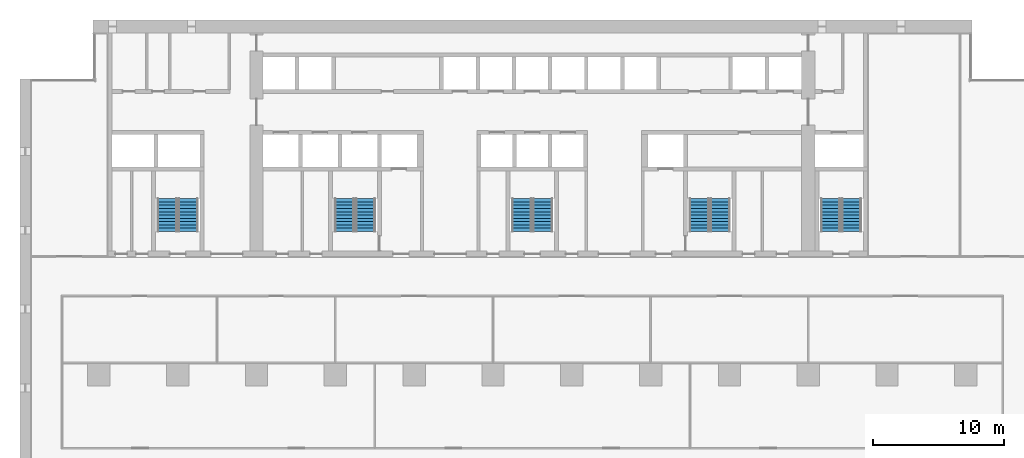
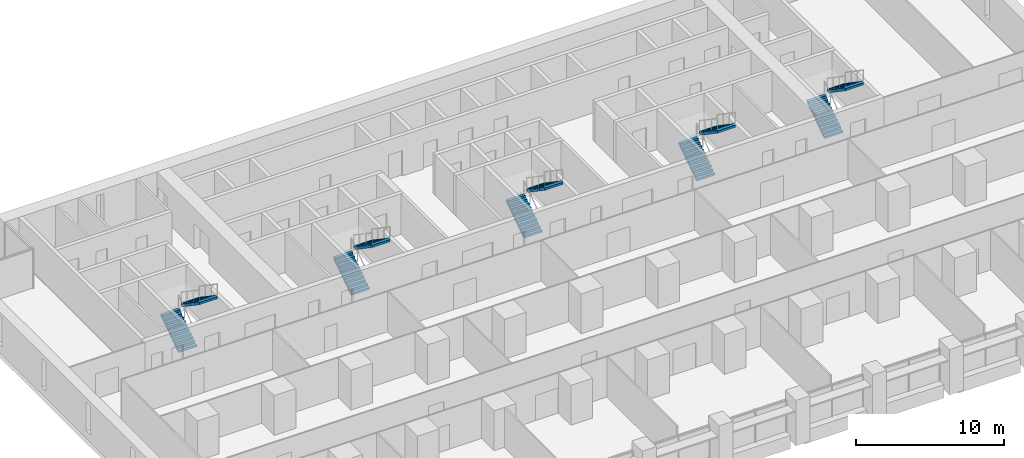
# One storey, part 14 of 18: 10 stair flights, 5 elements without a shape of their own.
"""IFC4 building model written with IfcOpenShell, lengths in metres."""

from ifc_helpers import new_model, si_unit, direction, frame, origin, place, context, subcontext, project, spatial, polyline, outline, extrude, material, type_object, element, aggregate, save


model = new_model("IFC4")

# Units and contexts
model_context = context("Model", 3, precision=1e-05, world=origin(), true_north=direction((0.0, 1.0)))
body_context = subcontext(model_context, "Body", "Model", "MODEL_VIEW")
ifc_project = project(units=[si_unit("LENGTHUNIT", "METRE"), si_unit("AREAUNIT", "SQUARE_METRE"), si_unit("VOLUMEUNIT", "CUBIC_METRE"), si_unit("PLANEANGLEUNIT", "RADIAN"), si_unit("MASSUNIT", "GRAM", prefix="KILO")], contexts=[model_context])

# Site, building, storey
site_placement = place(None, origin())
site = spatial("IfcSite", under=ifc_project, at=site_placement, CompositionType="ELEMENT")
building_placement = place(site_placement, origin())
building = spatial("IfcBuilding", under=site, at=building_placement, Name="Calvaro Tower", CompositionType="ELEMENT")
storey_placement = place(building_placement, frame((0.0, 0.0, 45.0)))
storey = spatial("IfcBuildingStorey", under=building, at=storey_placement, Name="L10", CompositionType="ELEMENT", Elevation=45.0)

# Stair, stair flights
ifc_material_1 = material(Name="Concrete C40/50", Category="concrete")
stair_type = type_object("IfcStairType", Name="Exit stair 1400 2 flights", PredefinedType="HALF_TURN_STAIR", material=ifc_material_1)
stair_1_placement = place(storey_placement, origin())
stair_1 = element("IfcStair", 1, at=stair_1_placement, inside=storey, type_object=stair_type, Name="Exit stair S1", PredefinedType="HALF_TURN_STAIR")
ifc_material_2 = material(Name="Concrete C40/50", Category="concrete")
stair_flight_type = type_object("IfcStairFlightType", Name="Stair flight", PredefinedType="STRAIGHT", material=ifc_material_2)
stair_flight_1_placement = place(storey_placement, frame((11.199951171875, 29.89990234375, 0.0), z_axis=(0.0, 0.0, 1.0), x_axis=(0.0, 1.0, 0.0)))
stair_flight_1 = element("IfcStairFlight", 2, at=stair_flight_1_placement, type_object=stair_flight_type, Name="Exit stair 1, flight 1", NumberOfRisers=11, NumberOfTreads=10, PredefinedType="STRAIGHT", RiserHeight=0.170454545, TreadLength=0.25, context=body_context, shape_type="SweptSolid", body=[
    extrude(outline(polyline([(0.0, 0.0), (0.0, 0.17041015625), (0.25, 0.17041015625), (0.25, 0.3408203125), (0.5, 0.3408203125), (0.5, 0.511474609375), (0.75, 0.511474609375), (0.75, 0.681884765625), (1.0, 0.681884765625), (1.0, 0.852294921875), (1.25, 0.852294921875), (1.25, 1.022705078125), (1.5, 1.022705078125), (1.5, 1.193115234375), (1.75, 1.193115234375), (1.75, 1.363525390625), (2.0, 1.363525390625), (2.0, 1.5341796875), (2.25, 1.5341796875), (2.25, 1.70458984375), (2.5, 1.70458984375), (2.5, 1.875), (2.5, 1.523193359375), (0.26611328125, 0.0), (0.0, 0.0)])), frame((0.0, 0.699951171875, 0.0), z_axis=(0.0, -1.0, 0.0), x_axis=(1.0, 0.0, 0.0)), (0.0, 0.0, 1.0), 1.39990234375),
])
stair_flight_2_placement = place(storey_placement, frame((12.800048828125, 32.39990234375, 1.875), z_axis=(0.0, 0.0, 1.0), x_axis=(0.0, -1.0, 0.0)))
stair_flight_2 = element("IfcStairFlight", 3, at=stair_flight_2_placement, type_object=stair_flight_type, Name="Exit stair 1, flight 2", NumberOfRisers=11, NumberOfTreads=10, PredefinedType="STRAIGHT", RiserHeight=0.170454545, TreadLength=0.25, context=body_context, shape_type="SweptSolid", body=[
    extrude(outline(polyline([(0.0, 0.0), (0.0, 0.17041015625), (0.25, 0.17041015625), (0.25, 0.3408203125), (0.5, 0.3408203125), (0.5, 0.511474609375), (0.75, 0.511474609375), (0.75, 0.681884765625), (1.0, 0.681884765625), (1.0, 0.852294921875), (1.25, 0.852294921875), (1.25, 1.022705078125), (1.5, 1.022705078125), (1.5, 1.193115234375), (1.75, 1.193115234375), (1.75, 1.363525390625), (2.0, 1.363525390625), (2.0, 1.5341796875), (2.25, 1.5341796875), (2.25, 1.70458984375), (2.5, 1.70458984375), (2.5, 1.875), (2.5, 1.523193359375), (0.26611328125, 0.0), (0.0, 0.0)])), frame((0.0, 0.699951171875, 0.0), z_axis=(0.0, -1.0, 0.0), x_axis=(1.0, 0.0, 0.0)), (0.0, 0.0, 1.0), 1.39990234375),
])
aggregate(stair_1, [stair_flight_1, stair_flight_2])

stair_2_placement = place(storey_placement, origin())
stair_2 = element("IfcStair", 4, at=stair_2_placement, inside=storey, type_object=stair_type, Name="Exit stair S2", PredefinedType="HALF_TURN_STAIR")
stair_flight_3_placement = place(storey_placement, frame((24.699951171875, 29.89990234375, 0.0), z_axis=(0.0, 0.0, 1.0), x_axis=(0.0, 1.0, 0.0)))
stair_flight_3 = element("IfcStairFlight", 5, at=stair_flight_3_placement, type_object=stair_flight_type, Name="Exit stair 2, flight 1", NumberOfRisers=11, NumberOfTreads=10, PredefinedType="STRAIGHT", RiserHeight=0.170454545, TreadLength=0.25, context=body_context, shape_type="SweptSolid", body=[
    extrude(outline(polyline([(0.0, 0.0), (0.0, 0.17041015625), (0.25, 0.17041015625), (0.25, 0.3408203125), (0.5, 0.3408203125), (0.5, 0.511474609375), (0.75, 0.511474609375), (0.75, 0.681884765625), (1.0, 0.681884765625), (1.0, 0.852294921875), (1.25, 0.852294921875), (1.25, 1.022705078125), (1.5, 1.022705078125), (1.5, 1.193115234375), (1.75, 1.193115234375), (1.75, 1.363525390625), (2.0, 1.363525390625), (2.0, 1.5341796875), (2.25, 1.5341796875), (2.25, 1.70458984375), (2.5, 1.70458984375), (2.5, 1.875), (2.5, 1.523193359375), (0.26611328125, 0.0), (0.0, 0.0)])), frame((0.0, 0.699951171875, 0.0), z_axis=(0.0, -1.0, 0.0), x_axis=(1.0, 0.0, 0.0)), (0.0, 0.0, 1.0), 1.39990234375),
])
stair_flight_4_placement = place(storey_placement, frame((26.300048828125, 32.39990234375, 1.875), z_axis=(0.0, 0.0, 1.0), x_axis=(0.0, -1.0, 0.0)))
stair_flight_4 = element("IfcStairFlight", 6, at=stair_flight_4_placement, type_object=stair_flight_type, Name="Exit stair 2, flight 2", NumberOfRisers=11, NumberOfTreads=10, PredefinedType="STRAIGHT", RiserHeight=0.170454545, TreadLength=0.25, context=body_context, shape_type="SweptSolid", body=[
    extrude(outline(polyline([(0.0, 0.0), (0.0, 0.17041015625), (0.25, 0.17041015625), (0.25, 0.3408203125), (0.5, 0.3408203125), (0.5, 0.511474609375), (0.75, 0.511474609375), (0.75, 0.681884765625), (1.0, 0.681884765625), (1.0, 0.852294921875), (1.25, 0.852294921875), (1.25, 1.022705078125), (1.5, 1.022705078125), (1.5, 1.193115234375), (1.75, 1.193115234375), (1.75, 1.363525390625), (2.0, 1.363525390625), (2.0, 1.5341796875), (2.25, 1.5341796875), (2.25, 1.70458984375), (2.5, 1.70458984375), (2.5, 1.875), (2.5, 1.523193359375), (0.26611328125, 0.0), (0.0, 0.0)])), frame((0.0, 0.699951171875, 0.0), z_axis=(0.0, -1.0, 0.0), x_axis=(1.0, 0.0, 0.0)), (0.0, 0.0, 1.0), 1.39990234375),
])
aggregate(stair_2, [stair_flight_3, stair_flight_4])

stair_3_placement = place(storey_placement, origin())
stair_3 = element("IfcStair", 7, at=stair_3_placement, inside=storey, type_object=stair_type, Name="Exit stair S3", PredefinedType="HALF_TURN_STAIR")
stair_flight_5_placement = place(storey_placement, frame((38.199951171875, 29.89990234375, 0.0), z_axis=(0.0, 0.0, 1.0), x_axis=(0.0, 1.0, 0.0)))
stair_flight_5 = element("IfcStairFlight", 8, at=stair_flight_5_placement, type_object=stair_flight_type, Name="Exit stair 3, flight 1", NumberOfRisers=11, NumberOfTreads=10, PredefinedType="STRAIGHT", RiserHeight=0.170454545, TreadLength=0.25, context=body_context, shape_type="SweptSolid", body=[
    extrude(outline(polyline([(0.0, 0.0), (0.0, 0.17041015625), (0.25, 0.17041015625), (0.25, 0.3408203125), (0.5, 0.3408203125), (0.5, 0.511474609375), (0.75, 0.511474609375), (0.75, 0.681884765625), (1.0, 0.681884765625), (1.0, 0.852294921875), (1.25, 0.852294921875), (1.25, 1.022705078125), (1.5, 1.022705078125), (1.5, 1.193115234375), (1.75, 1.193115234375), (1.75, 1.363525390625), (2.0, 1.363525390625), (2.0, 1.5341796875), (2.25, 1.5341796875), (2.25, 1.70458984375), (2.5, 1.70458984375), (2.5, 1.875), (2.5, 1.523193359375), (0.26611328125, 0.0), (0.0, 0.0)])), frame((0.0, 0.699951171875, 0.0), z_axis=(0.0, -1.0, 0.0), x_axis=(1.0, 0.0, 0.0)), (0.0, 0.0, 1.0), 1.39990234375),
])
stair_flight_6_placement = place(storey_placement, frame((39.800048828125, 32.39990234375, 1.875), z_axis=(0.0, 0.0, 1.0), x_axis=(0.0, -1.0, 0.0)))
stair_flight_6 = element("IfcStairFlight", 9, at=stair_flight_6_placement, type_object=stair_flight_type, Name="Exit stair 3, flight 2", NumberOfRisers=11, NumberOfTreads=10, PredefinedType="STRAIGHT", RiserHeight=0.170454545, TreadLength=0.25, context=body_context, shape_type="SweptSolid", body=[
    extrude(outline(polyline([(0.0, 0.0), (0.0, 0.17041015625), (0.25, 0.17041015625), (0.25, 0.3408203125), (0.5, 0.3408203125), (0.5, 0.511474609375), (0.75, 0.511474609375), (0.75, 0.681884765625), (1.0, 0.681884765625), (1.0, 0.852294921875), (1.25, 0.852294921875), (1.25, 1.022705078125), (1.5, 1.022705078125), (1.5, 1.193115234375), (1.75, 1.193115234375), (1.75, 1.363525390625), (2.0, 1.363525390625), (2.0, 1.5341796875), (2.25, 1.5341796875), (2.25, 1.70458984375), (2.5, 1.70458984375), (2.5, 1.875), (2.5, 1.523193359375), (0.26611328125, 0.0), (0.0, 0.0)])), frame((0.0, 0.699951171875, 0.0), z_axis=(0.0, -1.0, 0.0), x_axis=(1.0, 0.0, 0.0)), (0.0, 0.0, 1.0), 1.39990234375),
])
aggregate(stair_3, [stair_flight_5, stair_flight_6])

stair_4_placement = place(storey_placement, origin())
stair_4 = element("IfcStair", 10, at=stair_4_placement, inside=storey, type_object=stair_type, Name="Exit stair S4", PredefinedType="HALF_TURN_STAIR")
stair_flight_7_placement = place(storey_placement, frame((51.699951171875, 29.89990234375, 0.0), z_axis=(0.0, 0.0, 1.0), x_axis=(0.0, 1.0, 0.0)))
stair_flight_7 = element("IfcStairFlight", 11, at=stair_flight_7_placement, type_object=stair_flight_type, Name="Exit stair 4, flight 1", NumberOfRisers=11, NumberOfTreads=10, PredefinedType="STRAIGHT", RiserHeight=0.170454545, TreadLength=0.25, context=body_context, shape_type="SweptSolid", body=[
    extrude(outline(polyline([(0.0, 0.0), (0.0, 0.17041015625), (0.25, 0.17041015625), (0.25, 0.3408203125), (0.5, 0.3408203125), (0.5, 0.511474609375), (0.75, 0.511474609375), (0.75, 0.681884765625), (1.0, 0.681884765625), (1.0, 0.852294921875), (1.25, 0.852294921875), (1.25, 1.022705078125), (1.5, 1.022705078125), (1.5, 1.193115234375), (1.75, 1.193115234375), (1.75, 1.363525390625), (2.0, 1.363525390625), (2.0, 1.5341796875), (2.25, 1.5341796875), (2.25, 1.70458984375), (2.5, 1.70458984375), (2.5, 1.875), (2.5, 1.523193359375), (0.26611328125, 0.0), (0.0, 0.0)])), frame((0.0, 0.699951171875, 0.0), z_axis=(0.0, -1.0, 0.0), x_axis=(1.0, 0.0, 0.0)), (0.0, 0.0, 1.0), 1.39990234375),
])
stair_flight_8_placement = place(storey_placement, frame((53.300048828125, 32.39990234375, 1.875), z_axis=(0.0, 0.0, 1.0), x_axis=(0.0, -1.0, 0.0)))
stair_flight_8 = element("IfcStairFlight", 12, at=stair_flight_8_placement, type_object=stair_flight_type, Name="Exit stair 4, flight 2", NumberOfRisers=11, NumberOfTreads=10, PredefinedType="STRAIGHT", RiserHeight=0.170454545, TreadLength=0.25, context=body_context, shape_type="SweptSolid", body=[
    extrude(outline(polyline([(0.0, 0.0), (0.0, 0.17041015625), (0.25, 0.17041015625), (0.25, 0.3408203125), (0.5, 0.3408203125), (0.5, 0.511474609375), (0.75, 0.511474609375), (0.75, 0.681884765625), (1.0, 0.681884765625), (1.0, 0.852294921875), (1.25, 0.852294921875), (1.25, 1.022705078125), (1.5, 1.022705078125), (1.5, 1.193115234375), (1.75, 1.193115234375), (1.75, 1.363525390625), (2.0, 1.363525390625), (2.0, 1.5341796875), (2.25, 1.5341796875), (2.25, 1.70458984375), (2.5, 1.70458984375), (2.5, 1.875), (2.5, 1.523193359375), (0.26611328125, 0.0), (0.0, 0.0)])), frame((0.0, 0.699951171875, 0.0), z_axis=(0.0, -1.0, 0.0), x_axis=(1.0, 0.0, 0.0)), (0.0, 0.0, 1.0), 1.39990234375),
])
aggregate(stair_4, [stair_flight_7, stair_flight_8])

stair_5_placement = place(storey_placement, origin())
stair_5 = element("IfcStair", 13, at=stair_5_placement, inside=storey, type_object=stair_type, Name="Exit stair S5", PredefinedType="HALF_TURN_STAIR")
stair_flight_9_placement = place(storey_placement, frame((61.699951171875, 29.89990234375, 0.0), z_axis=(0.0, 0.0, 1.0), x_axis=(0.0, 1.0, 0.0)))
stair_flight_9 = element("IfcStairFlight", 14, at=stair_flight_9_placement, type_object=stair_flight_type, Name="Exit stair 5, flight 1", NumberOfRisers=11, NumberOfTreads=10, PredefinedType="STRAIGHT", RiserHeight=0.170454545, TreadLength=0.25, context=body_context, shape_type="SweptSolid", body=[
    extrude(outline(polyline([(0.0, 0.0), (0.0, 0.17041015625), (0.25, 0.17041015625), (0.25, 0.3408203125), (0.5, 0.3408203125), (0.5, 0.511474609375), (0.75, 0.511474609375), (0.75, 0.681884765625), (1.0, 0.681884765625), (1.0, 0.852294921875), (1.25, 0.852294921875), (1.25, 1.022705078125), (1.5, 1.022705078125), (1.5, 1.193115234375), (1.75, 1.193115234375), (1.75, 1.363525390625), (2.0, 1.363525390625), (2.0, 1.5341796875), (2.25, 1.5341796875), (2.25, 1.70458984375), (2.5, 1.70458984375), (2.5, 1.875), (2.5, 1.523193359375), (0.26611328125, 0.0), (0.0, 0.0)])), frame((0.0, 0.699951171875, 0.0), z_axis=(0.0, -1.0, 0.0), x_axis=(1.0, 0.0, 0.0)), (0.0, 0.0, 1.0), 1.39990234375),
])
stair_flight_10_placement = place(storey_placement, frame((63.300048828125, 32.39990234375, 1.875), z_axis=(0.0, 0.0, 1.0), x_axis=(0.0, -1.0, 0.0)))
stair_flight_10 = element("IfcStairFlight", 15, at=stair_flight_10_placement, type_object=stair_flight_type, Name="Exit stair 5, flight 2", NumberOfRisers=11, NumberOfTreads=10, PredefinedType="STRAIGHT", RiserHeight=0.170454545, TreadLength=0.25, context=body_context, shape_type="SweptSolid", body=[
    extrude(outline(polyline([(0.0, 0.0), (0.0, 0.17041015625), (0.25, 0.17041015625), (0.25, 0.3408203125), (0.5, 0.3408203125), (0.5, 0.511474609375), (0.75, 0.511474609375), (0.75, 0.681884765625), (1.0, 0.681884765625), (1.0, 0.852294921875), (1.25, 0.852294921875), (1.25, 1.022705078125), (1.5, 1.022705078125), (1.5, 1.193115234375), (1.75, 1.193115234375), (1.75, 1.363525390625), (2.0, 1.363525390625), (2.0, 1.5341796875), (2.25, 1.5341796875), (2.25, 1.70458984375), (2.5, 1.70458984375), (2.5, 1.875), (2.5, 1.523193359375), (0.26611328125, 0.0), (0.0, 0.0)])), frame((0.0, 0.699951171875, 0.0), z_axis=(0.0, -1.0, 0.0), x_axis=(1.0, 0.0, 0.0)), (0.0, 0.0, 1.0), 1.39990234375),
])
aggregate(stair_5, [stair_flight_9, stair_flight_10])

save(model, "model.ifc")
